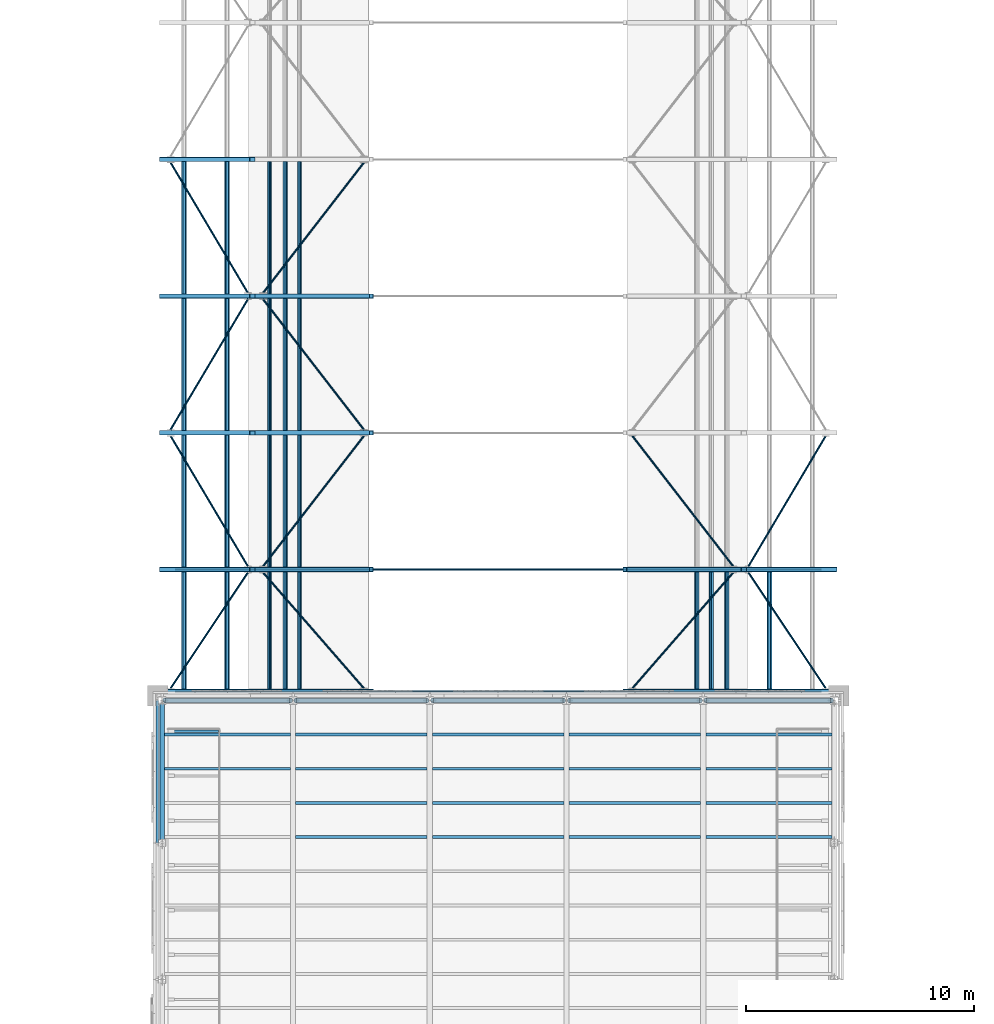
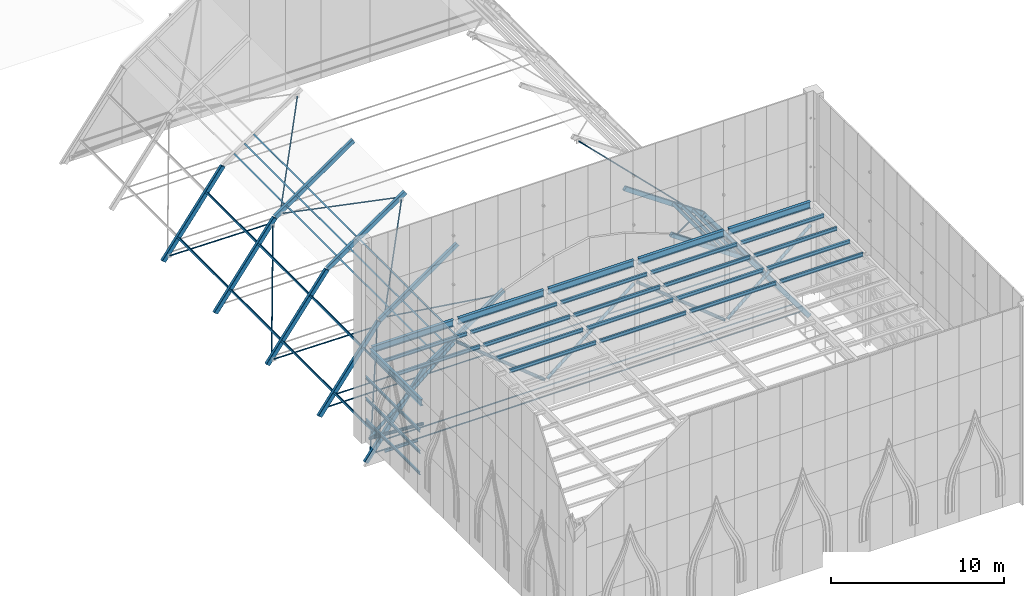
# One storey, part 4 of 43: 46 members, 41 beams.
"""IFC4 building model written with IfcOpenShell, lengths in metres."""

from ifc_helpers import new_model, si_unit, direction, frame, origin, origin_2d, place, context, subcontext, project, spatial, hollow_rectangle, hollow_circle, i_section, extrude, material, material_profile, profile_set, type_object, element, save


model = new_model("IFC4")

# Units and contexts
model_context = context("Model", 3, precision=1e-05, world=origin(), true_north=direction((0.0, 1.0)))
body_context = subcontext(model_context, "Body", "Model", "MODEL_VIEW")
ifc_project = project(units=[si_unit("LENGTHUNIT", "METRE"), si_unit("AREAUNIT", "SQUARE_METRE"), si_unit("VOLUMEUNIT", "CUBIC_METRE"), si_unit("PLANEANGLEUNIT", "RADIAN"), si_unit("MASSUNIT", "GRAM", prefix="KILO")], contexts=[model_context])

# Site, building, storey
site_placement = place(None, origin())
site = spatial("IfcSite", under=ifc_project, at=site_placement, CompositionType="ELEMENT")
building_placement = place(site_placement, origin())
building = spatial("IfcBuilding", under=site, at=building_placement, Name="Saffron Lane Theatres", CompositionType="ELEMENT")
storey_placement = place(building_placement, frame((0.0, 0.0, 23.0)))
storey = spatial("IfcBuildingStorey", under=building, at=storey_placement, Name="Roof", CompositionType="ELEMENT", Elevation=23.0)

# Beams
ifc_material_1 = material(Name="Steel Grade 350", Category="steel")
ifc_material_profile_1 = material_profile(ifc_material_1, i_section(OverallWidth=0.09912109375, OverallDepth=0.197998046875, WebThickness=0.00439453125, FlangeThickness=0.007080078125, FilletRadius=0.010986328125, at=origin_2d()))
ifc_profile_set_1 = profile_set([ifc_material_profile_1], Name="Steel Grade 350")
beam_type_1 = type_object("IfcBeamType", Name="ST-GALLERY BEAM 200UB18.2", PredefinedType="BEAM", material=ifc_profile_set_1)
beam_1_placement = place(storey_placement, frame((18.5, 52.89990234375, -0.14892578125), z_axis=(1.0, 0.0, 0.0), x_axis=(0.0, 1.0, 0.0)))
element("IfcBeam", 1, at=beam_1_placement, inside=storey, type_object=beam_type_1, Name="FBW23-10", PredefinedType="BEAM", context=body_context, shape_type="SweptSolid", body=[
    extrude(i_section(OverallWidth=0.09912109375, OverallDepth=0.197998046875, WebThickness=0.00439453125, FlangeThickness=0.007080078125, FilletRadius=0.010986328125, at=origin_2d()), origin(), (0.0, 0.0, 1.0), 2.22509765625),
])
ifc_material_2 = material(Name="Steel Grade 350", Category="steel")
ifc_material_profile_2 = material_profile(ifc_material_2, i_section(OverallWidth=0.19091796875, OverallDepth=0.4599609375, WebThickness=0.010009765625, FlangeThickness=0.01611328125, FilletRadius=0.010986328125, at=origin_2d()))
ifc_profile_set_2 = profile_set([ifc_material_profile_2], Name="Steel Grade 350")
beam_type_2 = type_object("IfcBeamType", Name="ST-GRIDIRON GIRDER 460UB82.1", PredefinedType="BEAM", material=ifc_profile_set_2)
beam_2_placement = place(storey_placement, frame((18.405517578125, 54.25, 6.219970703125), z_axis=(1.0, 0.0, 0.0), x_axis=(0.0, 1.0, 0.0)))
element("IfcBeam", 2, at=beam_2_placement, inside=storey, type_object=beam_type_2, Name="TG6", PredefinedType="BEAM", context=body_context, shape_type="SweptSolid", body=[
    extrude(i_section(OverallWidth=0.19091796875, OverallDepth=0.4599609375, WebThickness=0.010009765625, FlangeThickness=0.01611328125, FilletRadius=0.010986328125, at=origin_2d()), origin(), (0.0, 0.0, 1.0), 5.43896484375),
])
for number, where, z_axis, x_axis, name in (
    (3, (24.155517578125, 54.25, 6.219970703125), (1.0, 0.0, 0.0), (0.0, 1.0, 0.0), "TG7"),
    (4, (30.155517578125, 54.25, 6.219970703125), (1.0, 0.0, 0.0), (0.0, 1.0, 0.0), "TG8"),
    (5, (36.155517578125, 54.25, 6.219970703125), (1.0, 0.0, 0.0), (0.0, 1.0, 0.0), "TG9"),
):
    element("IfcBeam", number, at=place(storey_placement, frame(where, z_axis=z_axis, x_axis=x_axis)), inside=storey, type_object=beam_type_2, Name=name, PredefinedType="BEAM", context=body_context, shape_type="SweptSolid", body=[
        extrude(i_section(OverallWidth=0.19091796875, OverallDepth=0.4599609375, WebThickness=0.010009765625, FlangeThickness=0.01611328125, FilletRadius=0.010986328125, at=origin_2d()), origin(), (0.0, 0.0, 1.0), 5.68896484375),
    ])
beam_3_placement = place(storey_placement, frame((42.155517578125, 54.25, 6.219970703125), z_axis=(1.0, 0.0, 0.0), x_axis=(0.0, 1.0, 0.0)))
element("IfcBeam", 6, at=beam_3_placement, inside=storey, type_object=beam_type_2, Name="TG10", PredefinedType="BEAM", context=body_context, shape_type="SweptSolid", body=[
    extrude(i_section(OverallWidth=0.19091796875, OverallDepth=0.4599609375, WebThickness=0.010009765625, FlangeThickness=0.01611328125, FilletRadius=0.010986328125, at=origin_2d()), origin(), (0.0, 0.0, 1.0), 5.43896484375),
])
beam_4_placement = place(storey_placement, frame((18.25, 48.155517578125, 6.219970703125), z_axis=(0.0, 1.0, 0.0), x_axis=(-1.0, 0.0, 0.0)))
element("IfcBeam", 7, at=beam_4_placement, inside=storey, type_object=beam_type_2, Name="TG14", PredefinedType="BEAM", context=body_context, shape_type="SweptSolid", body=[
    extrude(i_section(OverallWidth=0.19091796875, OverallDepth=0.4599609375, WebThickness=0.010009765625, FlangeThickness=0.01611328125, FilletRadius=0.010986328125, at=origin_2d()), origin(), (0.0, 0.0, 1.0), 5.930908203125),
])
ifc_material_3 = material(Name="Steel Grade 350", Category="steel")
ifc_material_profile_3 = material_profile(ifc_material_3, i_section(OverallWidth=0.1240234375, OverallDepth=0.248046875, WebThickness=0.0048828125, FlangeThickness=0.008056640625, FilletRadius=0.011962890625, at=origin_2d()))
ifc_profile_set_3 = profile_set([ifc_material_profile_3], Name="Steel Grade 350")
beam_type_3 = type_object("IfcBeamType", Name="ST-GRIDIRON JOIST 250UB25.7", PredefinedType="JOIST", material=ifc_profile_set_3)
for number, where, z_axis, x_axis, name in (
    (8, (24.114501953125, 48.25, 6.325927734375), (1.0, 0.0, 0.0), (0.0, 1.0, 0.0), "TJ27"),
    (9, (30.114501953125, 48.25, 6.325927734375), (1.0, 0.0, 0.0), (0.0, 1.0, 0.0), "TJ28"),
    (10, (36.114501953125, 48.25, 6.325927734375), (1.0, 0.0, 0.0), (0.0, 1.0, 0.0), "TJ29"),
):
    element("IfcBeam", number, at=place(storey_placement, frame(where, z_axis=z_axis, x_axis=x_axis)), inside=storey, type_object=beam_type_3, Name=name, PredefinedType="JOIST", context=body_context, shape_type="SweptSolid", body=[
        extrude(i_section(OverallWidth=0.1240234375, OverallDepth=0.248046875, WebThickness=0.0048828125, FlangeThickness=0.008056640625, FilletRadius=0.011962890625, at=origin_2d()), origin(), (0.0, 0.0, 1.0), 5.77099609375),
    ])
for number, where, z_axis, x_axis, name in (
    (11, (42.114501953125, 48.25, 6.325927734375), (1.0, 0.0, 0.0), (0.0, 1.0, 0.0), "TJ30"),
    (12, (18.345458984375, 51.25, 6.325927734375), (1.0, 0.0, 0.0), (0.0, 1.0, 0.0), "TJ31"),
):
    element("IfcBeam", number, at=place(storey_placement, frame(where, z_axis=z_axis, x_axis=x_axis)), inside=storey, type_object=beam_type_3, Name=name, PredefinedType="JOIST", context=body_context, shape_type="SweptSolid", body=[
        extrude(i_section(OverallWidth=0.1240234375, OverallDepth=0.248046875, WebThickness=0.0048828125, FlangeThickness=0.008056640625, FilletRadius=0.011962890625, at=origin_2d()), origin(), (0.0, 0.0, 1.0), 5.5400390625),
    ])
for number, where, z_axis, x_axis, name in (
    (13, (24.114501953125, 51.25, 6.325927734375), (1.0, 0.0, 0.0), (0.0, 1.0, 0.0), "TJ32"),
    (14, (30.114501953125, 51.25, 6.325927734375), (1.0, 0.0, 0.0), (0.0, 1.0, 0.0), "TJ33"),
    (15, (36.114501953125, 51.25, 6.325927734375), (1.0, 0.0, 0.0), (0.0, 1.0, 0.0), "TJ34"),
):
    element("IfcBeam", number, at=place(storey_placement, frame(where, z_axis=z_axis, x_axis=x_axis)), inside=storey, type_object=beam_type_3, Name=name, PredefinedType="JOIST", context=body_context, shape_type="SweptSolid", body=[
        extrude(i_section(OverallWidth=0.1240234375, OverallDepth=0.248046875, WebThickness=0.0048828125, FlangeThickness=0.008056640625, FilletRadius=0.011962890625, at=origin_2d()), origin(), (0.0, 0.0, 1.0), 5.77099609375),
    ])
beam_5_placement = place(storey_placement, frame((42.114501953125, 51.25, 6.325927734375), z_axis=(1.0, 0.0, 0.0), x_axis=(0.0, 1.0, 0.0)))
element("IfcBeam", 16, at=beam_5_placement, inside=storey, type_object=beam_type_3, Name="TJ35", PredefinedType="JOIST", context=body_context, shape_type="SweptSolid", body=[
    extrude(i_section(OverallWidth=0.1240234375, OverallDepth=0.248046875, WebThickness=0.0048828125, FlangeThickness=0.008056640625, FilletRadius=0.011962890625, at=origin_2d()), origin(), (0.0, 0.0, 1.0), 5.5400390625),
])
for number, where, z_axis, x_axis, name in (
    (17, (24.114501953125, 49.75, 6.325927734375), (1.0, 0.0, 0.0), (0.0, 1.0, 0.0), "TM32"),
    (18, (30.114501953125, 49.75, 6.325927734375), (1.0, 0.0, 0.0), (0.0, 1.0, 0.0), "TM33"),
    (19, (36.114501953125, 49.75, 6.325927734375), (1.0, 0.0, 0.0), (0.0, 1.0, 0.0), "TM34"),
):
    element("IfcBeam", number, at=place(storey_placement, frame(where, z_axis=z_axis, x_axis=x_axis)), inside=storey, type_object=beam_type_3, Name=name, PredefinedType="JOIST", context=body_context, shape_type="SweptSolid", body=[
        extrude(i_section(OverallWidth=0.1240234375, OverallDepth=0.248046875, WebThickness=0.0048828125, FlangeThickness=0.008056640625, FilletRadius=0.011962890625, at=origin_2d()), origin(), (0.0, 0.0, 1.0), 5.77099609375),
    ])
for number, where, z_axis, x_axis, name in (
    (20, (42.114501953125, 49.75, 6.325927734375), (1.0, 0.0, 0.0), (0.0, 1.0, 0.0), "TM35"),
    (21, (18.345458984375, 52.75, 6.325927734375), (1.0, 0.0, 0.0), (0.0, 1.0, 0.0), "TM36"),
):
    element("IfcBeam", number, at=place(storey_placement, frame(where, z_axis=z_axis, x_axis=x_axis)), inside=storey, type_object=beam_type_3, Name=name, PredefinedType="JOIST", context=body_context, shape_type="SweptSolid", body=[
        extrude(i_section(OverallWidth=0.1240234375, OverallDepth=0.248046875, WebThickness=0.0048828125, FlangeThickness=0.008056640625, FilletRadius=0.011962890625, at=origin_2d()), origin(), (0.0, 0.0, 1.0), 5.5400390625),
    ])
for number, where, z_axis, x_axis, name in (
    (22, (24.114501953125, 52.75, 6.325927734375), (1.0, 0.0, 0.0), (0.0, 1.0, 0.0), "TM37"),
    (23, (30.114501953125, 52.75, 6.325927734375), (1.0, 0.0, 0.0), (0.0, 1.0, 0.0), "TM38"),
    (24, (36.114501953125, 52.75, 6.325927734375), (1.0, 0.0, 0.0), (0.0, 1.0, 0.0), "TM39"),
):
    element("IfcBeam", number, at=place(storey_placement, frame(where, z_axis=z_axis, x_axis=x_axis)), inside=storey, type_object=beam_type_3, Name=name, PredefinedType="JOIST", context=body_context, shape_type="SweptSolid", body=[
        extrude(i_section(OverallWidth=0.1240234375, OverallDepth=0.248046875, WebThickness=0.0048828125, FlangeThickness=0.008056640625, FilletRadius=0.011962890625, at=origin_2d()), origin(), (0.0, 0.0, 1.0), 5.77099609375),
    ])
beam_6_placement = place(storey_placement, frame((42.114501953125, 52.75, 6.325927734375), z_axis=(1.0, 0.0, 0.0), x_axis=(0.0, 1.0, 0.0)))
element("IfcBeam", 25, at=beam_6_placement, inside=storey, type_object=beam_type_3, Name="TM40", PredefinedType="JOIST", context=body_context, shape_type="SweptSolid", body=[
    extrude(i_section(OverallWidth=0.1240234375, OverallDepth=0.248046875, WebThickness=0.0048828125, FlangeThickness=0.008056640625, FilletRadius=0.011962890625, at=origin_2d()), origin(), (0.0, 0.0, 1.0), 5.5400390625),
])

# Members
ifc_material_4 = material(Name="Steel Grade 350", Category="steel")
ifc_material_profile_4 = material_profile(ifc_material_4, hollow_circle(Radius=0.109619140625, WallThickness=0.00830078125, at=origin_2d()))
ifc_profile_set_4 = profile_set([ifc_material_profile_4], Name="Steel Grade 350")
member_type_1 = type_object("IfcMemberType", Name="ST-TOWER BRACE LO 219.1x8.2 CHS", PredefinedType="BRACE", material=ifc_profile_set_4)
member_1_placement = place(storey_placement, frame((18.349365234375, 54.25, 0.083740234375), z_axis=(0.764377426649, 0.0, 0.644769066898), x_axis=(0.0, 1.0, 0.0)))
element("IfcMember", 26, at=member_1_placement, inside=storey, type_object=member_type_1, Name="TB11", PredefinedType="BRACE", context=body_context, shape_type="SweptSolid", body=[
    extrude(hollow_circle(Radius=0.109619140625, WallThickness=0.00830078125, at=origin_2d()), origin(), (0.0, 0.0, 1.0), 7.262451171875),
])
for number, where, z_axis, x_axis, name in (
    (27, (29.89453125, 54.25, 0.085205078125), (-0.77768461101, 0.0, 0.628654631573), (0.0, -1.0, 0.0), "TB13"),
    (28, (30.10546875, 54.25, 0.085205078125), (0.77768461101, 0.0, 0.628654631573), (0.0, 1.0, 0.0), "TB15"),
    (29, (41.89453125, 54.25, 0.085205078125), (-0.77768461101, 0.0, 0.628654631573), (0.0, -1.0, 0.0), "TB17"),
):
    element("IfcMember", number, at=place(storey_placement, frame(where, z_axis=z_axis, x_axis=x_axis)), inside=storey, type_object=member_type_1, Name=name, PredefinedType="BRACE", context=body_context, shape_type="SweptSolid", body=[
        extrude(hollow_circle(Radius=0.109619140625, WallThickness=0.00830078125, at=origin_2d()), origin(), (0.0, 0.0, 1.0), 7.444091796875),
    ])
member_2_placement = place(storey_placement, frame((42.099365234375, 54.25, 0.083740234375), z_axis=(0.764377426649, 0.0, 0.644769066898), x_axis=(0.0, 1.0, 0.0)))
element("IfcMember", 30, at=member_2_placement, inside=storey, type_object=member_type_1, Name="TB19", PredefinedType="BRACE", context=body_context, shape_type="SweptSolid", body=[
    extrude(hollow_circle(Radius=0.109619140625, WallThickness=0.00830078125, at=origin_2d()), origin(), (0.0, 0.0, 1.0), 7.262451171875),
])
member_3_placement = place(storey_placement, frame((18.25, 54.138427734375, 0.086669921875), z_axis=(0.0, -0.790037583731, 0.613058411811), x_axis=(1.0, 0.0, 0.0)))
element("IfcMember", 31, at=member_3_placement, inside=storey, type_object=member_type_1, Name="TB27", PredefinedType="BRACE", context=body_context, shape_type="SweptSolid", body=[
    extrude(hollow_circle(Radius=0.109619140625, WallThickness=0.00830078125, at=origin_2d()), origin(), (0.0, 0.0, 1.0), 7.628662109375),
])

# Beams
ifc_material_5 = material(Name="Steel Grade 350", Category="steel")
ifc_material_profile_5 = material_profile(ifc_material_5, i_section(OverallWidth=0.09912109375, OverallDepth=0.197998046875, WebThickness=0.00439453125, FlangeThickness=0.007080078125, FilletRadius=0.010986328125, at=origin_2d()))
ifc_profile_set_5 = profile_set([ifc_material_profile_5], Name="Steel Grade 350")
beam_type_4 = type_object("IfcBeamType", Name="ST-TOWER GIRT 200UB18.2", PredefinedType="BEAM", material=ifc_profile_set_5)
for number, where, z_axis, x_axis, name in (
    (32, (18.037109375, 48.0, 1.40087890625), (0.0, 1.0, 0.0), (-1.0, 0.0, 0.0), "TX29"),
    (33, (18.037109375, 48.0, 2.90087890625), (0.0, 1.0, 0.0), (-1.0, 0.0, 0.0), "TX33"),
    (34, (18.037109375, 48.0, 4.40087890625), (0.0, 1.0, 0.0), (-1.0, 0.0, 0.0), "TX37"),
):
    element("IfcBeam", number, at=place(storey_placement, frame(where, z_axis=z_axis, x_axis=x_axis)), inside=storey, type_object=beam_type_4, Name=name, PredefinedType="BEAM", context=body_context, shape_type="SweptSolid", body=[
        extrude(i_section(OverallWidth=0.09912109375, OverallDepth=0.197998046875, WebThickness=0.00439453125, FlangeThickness=0.007080078125, FilletRadius=0.010986328125, at=origin_2d()), origin(), (0.0, 0.0, 1.0), 6.25),
    ])

# Members
ifc_material_6 = material(Name="Steel Grade 350", Category="steel")
ifc_material_profile_6 = material_profile(ifc_material_6, hollow_circle(Radius=0.04443359375, WallThickness=0.005859375, at=origin_2d()))
ifc_profile_set_6 = profile_set([ifc_material_profile_6], Name="Steel Grade 350")
member_type_2 = type_object("IfcMemberType", Name="ST-VAULT BRACE 88.9x5.9 CHS", PredefinedType="BRACE", material=ifc_profile_set_6)
member_4_placement = place(storey_placement, frame((18.627685546875, 54.793212890625, -1.570556640625), z_axis=(0.444999189173, 0.666695187998, 0.597907390769), x_axis=(-0.831741693908, 0.555162818112, 0.0)))
element("IfcMember", 35, at=member_4_placement, inside=storey, type_object=member_type_2, Name="VB1", PredefinedType="BRACE", context=body_context, shape_type="SweptSolid", body=[
    extrude(hollow_circle(Radius=0.04443359375, WallThickness=0.005859375, at=origin_2d()), origin(), (0.0, 0.0, 1.0), 7.59521484375),
])
for number, where, z_axis, x_axis, name in (
    (36, (22.68896484375, 59.857666015625, 3.62841796875), (0.598302857614, -0.687124304759, 0.41218185353), (0.754168697763, 0.656680725554, 0.0), "VB2"),
    (37, (38.900390625, 54.792236328125, 6.6669921875), (0.598302857614, 0.687124304759, -0.41218185353), (-0.754168697763, 0.656680725554, 0.0), "VB7"),
):
    element("IfcMember", number, at=place(storey_placement, frame(where, z_axis=z_axis, x_axis=x_axis)), inside=storey, type_object=member_type_2, Name=name, PredefinedType="BRACE", context=body_context, shape_type="SweptSolid", body=[
        extrude(hollow_circle(Radius=0.04443359375, WallThickness=0.005859375, at=origin_2d()), origin(), (0.0, 0.0, 1.0), 7.371826171875),
    ])
member_5_placement = place(storey_placement, frame((43.992431640625, 59.85693359375, 2.970703125), z_axis=(0.444999189173, -0.666695187998, -0.597907390769), x_axis=(0.831741693908, 0.555162818112, 0.0)))
element("IfcMember", 38, at=member_5_placement, inside=storey, type_object=member_type_2, Name="VB8", PredefinedType="BRACE", context=body_context, shape_type="SweptSolid", body=[
    extrude(hollow_circle(Radius=0.04443359375, WallThickness=0.005859375, at=origin_2d()), origin(), (0.0, 0.0, 1.0), 7.59521484375),
])
member_6_placement = place(storey_placement, frame((18.623291015625, 65.858642578125, -1.576171875), z_axis=(0.420650922194, -0.709712053021, 0.565120875083), x_axis=(0.860248567994, 0.509874887854, 0.0)))
element("IfcMember", 39, at=member_6_placement, inside=storey, type_object=member_type_2, Name="VB9", PredefinedType="BRACE", context=body_context, shape_type="SweptSolid", body=[
    extrude(hollow_circle(Radius=0.04443359375, WallThickness=0.005859375, at=origin_2d()), origin(), (0.0, 0.0, 1.0), 8.0556640625),
])
for number, where, z_axis, x_axis, name in (
    (40, (22.683349609375, 60.140380859375, 3.62451171875), (0.563659260503, 0.729034995393, 0.388324881436), (-0.791120093117, 0.611660852324, 0.0), "VB10"),
    (41, (38.894775390625, 65.859619140625, 6.6708984375), (0.563659260503, -0.729034995393, -0.388324881436), (0.791120093117, 0.611660852324, 0.0), "VB15"),
):
    element("IfcMember", number, at=place(storey_placement, frame(where, z_axis=z_axis, x_axis=x_axis)), inside=storey, type_object=member_type_2, Name=name, PredefinedType="BRACE", context=body_context, shape_type="SweptSolid", body=[
        extrude(hollow_circle(Radius=0.04443359375, WallThickness=0.005859375, at=origin_2d()), origin(), (0.0, 0.0, 1.0), 7.844970703125),
    ])
for number, where, z_axis, x_axis, name in (
    (42, (43.988037109375, 60.141357421875, 2.976318359375), (0.420650922194, 0.709712053021, -0.565120875083), (-0.860248567994, 0.509874887854, 0.0), "VB16"),
    (43, (18.623291015625, 66.141357421875, -1.576171875), (0.420650922194, 0.709712053021, 0.565120875083), (-0.860248567994, 0.509874887854, 0.0), "VB17"),
):
    element("IfcMember", number, at=place(storey_placement, frame(where, z_axis=z_axis, x_axis=x_axis)), inside=storey, type_object=member_type_2, Name=name, PredefinedType="BRACE", context=body_context, shape_type="SweptSolid", body=[
        extrude(hollow_circle(Radius=0.04443359375, WallThickness=0.005859375, at=origin_2d()), origin(), (0.0, 0.0, 1.0), 8.0556640625),
    ])
member_7_placement = place(storey_placement, frame((22.683349609375, 71.859619140625, 3.62451171875), z_axis=(0.563659260503, -0.729034995393, 0.388324881436), x_axis=(0.791120093117, 0.611660852324, 0.0)))
element("IfcMember", 44, at=member_7_placement, inside=storey, type_object=member_type_2, Name="VB18", PredefinedType="BRACE", context=body_context, shape_type="SweptSolid", body=[
    extrude(hollow_circle(Radius=0.04443359375, WallThickness=0.005859375, at=origin_2d()), origin(), (0.0, 0.0, 1.0), 7.844970703125),
])
member_8_placement = place(storey_placement, frame((18.623291015625, 77.858642578125, -1.576171875), z_axis=(0.420650922194, -0.709712053021, 0.565120875083), x_axis=(0.860248567994, 0.509874887854, 0.0)))
element("IfcMember", 45, at=member_8_placement, inside=storey, type_object=member_type_2, Name="VB25", PredefinedType="BRACE", context=body_context, shape_type="SweptSolid", body=[
    extrude(hollow_circle(Radius=0.04443359375, WallThickness=0.005859375, at=origin_2d()), origin(), (0.0, 0.0, 1.0), 8.0556640625),
])
member_9_placement = place(storey_placement, frame((22.683349609375, 72.140380859375, 3.62451171875), z_axis=(0.563659260503, 0.729034995393, 0.388324881436), x_axis=(-0.791120093117, 0.611660852324, 0.0)))
element("IfcMember", 46, at=member_9_placement, inside=storey, type_object=member_type_2, Name="VB26", PredefinedType="BRACE", context=body_context, shape_type="SweptSolid", body=[
    extrude(hollow_circle(Radius=0.04443359375, WallThickness=0.005859375, at=origin_2d()), origin(), (0.0, 0.0, 1.0), 7.844970703125),
])
ifc_material_7 = material(Name="Steel Grade 350", Category="steel")
ifc_material_profile_7 = material_profile(ifc_material_7, i_section(OverallWidth=0.09912109375, OverallDepth=0.197998046875, WebThickness=0.00439453125, FlangeThickness=0.007080078125, FilletRadius=0.010986328125, at=origin_2d()))
ifc_profile_set_7 = profile_set([ifc_material_profile_7], Name="Steel Grade 350")
member_type_3 = type_object("IfcMemberType", Name="ST-VAULT PURLIN 200UB18.2", PredefinedType="PURLIN", material=ifc_profile_set_7)
for number, where, z_axis, x_axis, name in (
    (47, (19.205322265625, 54.75, -0.54150390625), (0.0, 1.0, 0.0), (0.597068546596, 0.0, 0.802190220998), "VP1A1"),
    (48, (21.091552734375, 54.75, 1.99267578125), (0.0, 1.0, 0.0), (0.597068546596, 0.0, 0.802190220998), "VP1A2"),
    (49, (22.964599609375, 54.75, 4.001708984375), (0.0, 1.0, 0.0), (0.823487130919, 0.0, 0.567334949752), "VP1B1"),
    (50, (23.648681640625, 54.75, 4.472900390625), (0.0, 1.0, 0.0), (0.823487130919, 0.0, 0.567334949752), "VP1B2"),
    (51, (24.280029296875, 54.75, 4.90771484375), (0.0, 1.0, 0.0), (0.823487130919, 0.0, 0.567334949752), "VP1B3"),
    (52, (41.719970703125, 54.75, 4.90771484375), (0.0, 1.0, 0.0), (0.823487130919, 0.0, -0.567334949752), "VP1G2"),
    (53, (42.351318359375, 54.75, 4.472900390625), (0.0, 1.0, 0.0), (0.823487130919, 0.0, -0.567334949752), "VP1G3"),
    (54, (43.035400390625, 54.75, 4.001708984375), (0.0, 1.0, 0.0), (0.823487130919, 0.0, -0.567334949752), "VP1G4"),
    (55, (44.908447265625, 54.75, 1.99267578125), (0.0, 1.0, 0.0), (0.597068546596, 0.0, -0.802190220998), "VP1H1"),
):
    element("IfcMember", number, at=place(storey_placement, frame(where, z_axis=z_axis, x_axis=x_axis)), inside=storey, type_object=member_type_3, Name=name, PredefinedType="PURLIN", context=body_context, shape_type="SweptSolid", body=[
        extrude(i_section(OverallWidth=0.09912109375, OverallDepth=0.197998046875, WebThickness=0.00439453125, FlangeThickness=0.007080078125, FilletRadius=0.010986328125, at=origin_2d()), origin(), (0.0, 0.0, 1.0), 5.14990234375),
    ])
for number, where, z_axis, x_axis, name in (
    (56, (19.205322265625, 60.10009765625, -0.54150390625), (0.0, 1.0, 0.0), (0.597068546596, 0.0, 0.802190220998), "VP2A1"),
    (57, (21.091552734375, 60.10009765625, 1.99267578125), (0.0, 1.0, 0.0), (0.597068546596, 0.0, 0.802190220998), "VP2A2"),
    (58, (22.964599609375, 60.10009765625, 4.001708984375), (0.0, 1.0, 0.0), (0.823487130919, 0.0, 0.567334949752), "VP2B1"),
    (59, (23.648681640625, 60.10009765625, 4.472900390625), (0.0, 1.0, 0.0), (0.823487130919, 0.0, 0.567334949752), "VP2B2"),
    (60, (24.280029296875, 60.10009765625, 4.90771484375), (0.0, 1.0, 0.0), (0.823487130919, 0.0, 0.567334949752), "VP2B3"),
    (61, (19.205322265625, 66.10009765625, -0.54150390625), (0.0, 1.0, 0.0), (0.597068546596, 0.0, 0.802190220998), "VP3A1"),
    (62, (21.091552734375, 66.10009765625, 1.99267578125), (0.0, 1.0, 0.0), (0.597068546596, 0.0, 0.802190220998), "VP3A2"),
    (63, (22.964599609375, 66.10009765625, 4.001708984375), (0.0, 1.0, 0.0), (0.823487130919, 0.0, 0.567334949752), "VP3B1"),
    (64, (23.648681640625, 66.10009765625, 4.472900390625), (0.0, 1.0, 0.0), (0.823487130919, 0.0, 0.567334949752), "VP3B2"),
    (65, (24.280029296875, 66.10009765625, 4.90771484375), (0.0, 1.0, 0.0), (0.823487130919, 0.0, 0.567334949752), "VP3B3"),
    (66, (19.205322265625, 72.10009765625, -0.54150390625), (0.0, 1.0, 0.0), (0.597068546596, 0.0, 0.802190220998), "VP4A1"),
    (67, (21.091552734375, 72.10009765625, 1.99267578125), (0.0, 1.0, 0.0), (0.597068546596, 0.0, 0.802190220998), "VP4A2"),
    (68, (22.964599609375, 72.10009765625, 4.001708984375), (0.0, 1.0, 0.0), (0.823487130919, 0.0, 0.567334949752), "VP4B1"),
    (69, (23.648681640625, 72.10009765625, 4.472900390625), (0.0, 1.0, 0.0), (0.823487130919, 0.0, 0.567334949752), "VP4B2"),
    (70, (24.280029296875, 72.10009765625, 4.90771484375), (0.0, 1.0, 0.0), (0.823487130919, 0.0, 0.567334949752), "VP4B3"),
):
    element("IfcMember", number, at=place(storey_placement, frame(where, z_axis=z_axis, x_axis=x_axis)), inside=storey, type_object=member_type_3, Name=name, PredefinedType="PURLIN", context=body_context, shape_type="SweptSolid", body=[
        extrude(i_section(OverallWidth=0.09912109375, OverallDepth=0.197998046875, WebThickness=0.00439453125, FlangeThickness=0.007080078125, FilletRadius=0.010986328125, at=origin_2d()), origin(), (0.0, 0.0, 1.0), 5.7998046875),
    ])

# Beams
ifc_material_8 = material(Name="Steel Grade 350", Category="steel")
ifc_material_profile_8 = material_profile(ifc_material_8, hollow_rectangle(XDim=0.199951171875, YDim=0.300048828125, WallThickness=0.010009765625, InnerFilletRadius=0.0048828125, OuterFilletRadius=0.014892578125, at=origin_2d()))
ifc_profile_set_8 = profile_set([ifc_material_profile_8], Name="Steel Grade 350")
beam_type_5 = type_object("IfcBeamType", Name="ST-VAULT RIB 300x200x10 RHS", PredefinedType="USERDEFINED", material=ifc_profile_set_8)
beam_7_placement = place(storey_placement, frame((18.25, 54.64990234375, -1.910400390625), z_axis=(0.597057046595, 0.0, 0.802198780298), x_axis=(0.0, 1.0, 0.0)))
element("IfcBeam", 71, at=beam_7_placement, inside=storey, type_object=beam_type_5, Name="VR1A", ObjectType="VAULT RIB", PredefinedType="USERDEFINED", context=body_context, shape_type="SweptSolid", body=[
    extrude(hollow_rectangle(XDim=0.199951171875, YDim=0.300048828125, WallThickness=0.010009765625, InnerFilletRadius=0.0048828125, OuterFilletRadius=0.014892578125, at=origin_2d()), origin(), (0.0, 0.0, 1.0), 6.632568359375),
])
for number, where, z_axis, x_axis, name in (
    (72, (22.245361328125, 54.64990234375, 3.444091796875), (0.823484273619, 0.0, 0.567339097104), (0.0, 1.0, 0.0), "VR1B"),
    (73, (38.56494140625, 54.64990234375, 7.01953125), (0.823484273619, 0.0, -0.567339097104), (0.0, 1.0, 0.0), "VR1G"),
):
    element("IfcBeam", number, at=place(storey_placement, frame(where, z_axis=z_axis, x_axis=x_axis)), inside=storey, type_object=beam_type_5, Name=name, ObjectType="VAULT RIB", PredefinedType="USERDEFINED", context=body_context, shape_type="SweptSolid", body=[
        extrude(hollow_rectangle(XDim=0.199951171875, YDim=0.300048828125, WallThickness=0.010009765625, InnerFilletRadius=0.0048828125, OuterFilletRadius=0.014892578125, at=origin_2d()), origin(), (0.0, 0.0, 1.0), 6.302001953125),
    ])
for number, where, z_axis, x_axis, name in (
    (74, (43.7900390625, 54.64990234375, 3.41015625), (0.597057046595, 0.0, -0.802198780298), (0.0, 1.0, 0.0), "VR1H"),
    (75, (18.25, 60.0, -1.910400390625), (0.597057046595, 0.0, 0.802198780298), (0.0, 1.0, 0.0), "VR2A"),
):
    element("IfcBeam", number, at=place(storey_placement, frame(where, z_axis=z_axis, x_axis=x_axis)), inside=storey, type_object=beam_type_5, Name=name, ObjectType="VAULT RIB", PredefinedType="USERDEFINED", context=body_context, shape_type="SweptSolid", body=[
        extrude(hollow_rectangle(XDim=0.199951171875, YDim=0.300048828125, WallThickness=0.010009765625, InnerFilletRadius=0.0048828125, OuterFilletRadius=0.014892578125, at=origin_2d()), origin(), (0.0, 0.0, 1.0), 6.632568359375),
    ])
for number, where, z_axis, x_axis, name in (
    (76, (22.245361328125, 60.0, 3.444091796875), (0.823484273619, 0.0, 0.567339097104), (0.0, 1.0, 0.0), "VR2B"),
    (77, (38.56494140625, 60.0, 7.01953125), (0.823484273619, 0.0, -0.567339097104), (0.0, 1.0, 0.0), "VR2G"),
):
    element("IfcBeam", number, at=place(storey_placement, frame(where, z_axis=z_axis, x_axis=x_axis)), inside=storey, type_object=beam_type_5, Name=name, ObjectType="VAULT RIB", PredefinedType="USERDEFINED", context=body_context, shape_type="SweptSolid", body=[
        extrude(hollow_rectangle(XDim=0.199951171875, YDim=0.300048828125, WallThickness=0.010009765625, InnerFilletRadius=0.0048828125, OuterFilletRadius=0.014892578125, at=origin_2d()), origin(), (0.0, 0.0, 1.0), 6.302001953125),
    ])
for number, where, z_axis, x_axis, name in (
    (78, (43.7900390625, 60.0, 3.41015625), (0.597057046595, 0.0, -0.802198780298), (0.0, 1.0, 0.0), "VR2H"),
    (79, (18.25, 66.0, -1.910400390625), (0.597057046595, 0.0, 0.802198780298), (0.0, 1.0, 0.0), "VR3A"),
):
    element("IfcBeam", number, at=place(storey_placement, frame(where, z_axis=z_axis, x_axis=x_axis)), inside=storey, type_object=beam_type_5, Name=name, ObjectType="VAULT RIB", PredefinedType="USERDEFINED", context=body_context, shape_type="SweptSolid", body=[
        extrude(hollow_rectangle(XDim=0.199951171875, YDim=0.300048828125, WallThickness=0.010009765625, InnerFilletRadius=0.0048828125, OuterFilletRadius=0.014892578125, at=origin_2d()), origin(), (0.0, 0.0, 1.0), 6.632568359375),
    ])
beam_8_placement = place(storey_placement, frame((22.245361328125, 66.0, 3.444091796875), z_axis=(0.823484273619, 0.0, 0.567339097104), x_axis=(0.0, 1.0, 0.0)))
element("IfcBeam", 80, at=beam_8_placement, inside=storey, type_object=beam_type_5, Name="VR3B", ObjectType="VAULT RIB", PredefinedType="USERDEFINED", context=body_context, shape_type="SweptSolid", body=[
    extrude(hollow_rectangle(XDim=0.199951171875, YDim=0.300048828125, WallThickness=0.010009765625, InnerFilletRadius=0.0048828125, OuterFilletRadius=0.014892578125, at=origin_2d()), origin(), (0.0, 0.0, 1.0), 6.302001953125),
])
beam_9_placement = place(storey_placement, frame((18.25, 72.0, -1.910400390625), z_axis=(0.597057046595, 0.0, 0.802198780298), x_axis=(0.0, 1.0, 0.0)))
element("IfcBeam", 81, at=beam_9_placement, inside=storey, type_object=beam_type_5, Name="VR4A", ObjectType="VAULT RIB", PredefinedType="USERDEFINED", context=body_context, shape_type="SweptSolid", body=[
    extrude(hollow_rectangle(XDim=0.199951171875, YDim=0.300048828125, WallThickness=0.010009765625, InnerFilletRadius=0.0048828125, OuterFilletRadius=0.014892578125, at=origin_2d()), origin(), (0.0, 0.0, 1.0), 6.632568359375),
])
beam_10_placement = place(storey_placement, frame((22.245361328125, 72.0, 3.444091796875), z_axis=(0.823484273619, 0.0, 0.567339097104), x_axis=(0.0, 1.0, 0.0)))
element("IfcBeam", 82, at=beam_10_placement, inside=storey, type_object=beam_type_5, Name="VR4B", ObjectType="VAULT RIB", PredefinedType="USERDEFINED", context=body_context, shape_type="SweptSolid", body=[
    extrude(hollow_rectangle(XDim=0.199951171875, YDim=0.300048828125, WallThickness=0.010009765625, InnerFilletRadius=0.0048828125, OuterFilletRadius=0.014892578125, at=origin_2d()), origin(), (0.0, 0.0, 1.0), 6.302001953125),
])
beam_11_placement = place(storey_placement, frame((18.25, 78.0, -1.910400390625), z_axis=(0.597057046595, 0.0, 0.802198780298), x_axis=(0.0, 1.0, 0.0)))
element("IfcBeam", 83, at=beam_11_placement, inside=storey, type_object=beam_type_5, Name="VR5A", ObjectType="VAULT RIB", PredefinedType="USERDEFINED", context=body_context, shape_type="SweptSolid", body=[
    extrude(hollow_rectangle(XDim=0.199951171875, YDim=0.300048828125, WallThickness=0.010009765625, InnerFilletRadius=0.0048828125, OuterFilletRadius=0.014892578125, at=origin_2d()), origin(), (0.0, 0.0, 1.0), 6.632568359375),
])

# Members
ifc_material_9 = material(Name="Steel Grade 350", Category="steel")
ifc_material_profile_9 = material_profile(ifc_material_9, hollow_circle(Radius=0.04443359375, WallThickness=0.005859375, at=origin_2d()))
ifc_profile_set_9 = profile_set([ifc_material_profile_9], Name="Steel Grade 350")
member_type_4 = type_object("IfcMemberType", Name="ST-VAULT TIE 88.9x5.9 CHS", PredefinedType="USERDEFINED", material=ifc_profile_set_9)
member_10_placement = place(storey_placement, frame((18.812744140625, 54.64990234375, -1.449951171875), z_axis=(1.0, 0.0, 0.0), x_axis=(0.0, 1.0, 0.0)))
element("IfcMember", 84, at=member_10_placement, inside=storey, type_object=member_type_4, Name="VT1-1", ObjectType="TIE ROD", PredefinedType="USERDEFINED", context=body_context, shape_type="SweptSolid", body=[
    extrude(hollow_circle(Radius=0.04443359375, WallThickness=0.005859375, at=origin_2d()), origin(), (0.0, 0.0, 1.0), 28.37451171875),
])
member_11_placement = place(storey_placement, frame((19.333740234375, 54.64990234375, -0.75), z_axis=(1.0, 0.0, 0.0), x_axis=(0.0, 1.0, 0.0)))
element("IfcMember", 85, at=member_11_placement, inside=storey, type_object=member_type_4, Name="VT1-2", ObjectType="TIE ROD", PredefinedType="USERDEFINED", context=body_context, shape_type="SweptSolid", body=[
    extrude(hollow_circle(Radius=0.04443359375, WallThickness=0.005859375, at=origin_2d()), origin(), (0.0, 0.0, 1.0), 27.33251953125),
])
member_12_placement = place(storey_placement, frame((18.812744140625, 60.0, -1.449951171875), z_axis=(1.0, 0.0, 0.0), x_axis=(0.0, 1.0, 0.0)))
element("IfcMember", 86, at=member_12_placement, inside=storey, type_object=member_type_4, Name="VT2-1", ObjectType="TIE ROD", PredefinedType="USERDEFINED", context=body_context, shape_type="SweptSolid", body=[
    extrude(hollow_circle(Radius=0.04443359375, WallThickness=0.005859375, at=origin_2d()), origin(), (0.0, 0.0, 1.0), 28.37451171875),
])
member_13_placement = place(storey_placement, frame((19.333740234375, 60.0, -0.75), z_axis=(1.0, 0.0, 0.0), x_axis=(0.0, 1.0, 0.0)))
element("IfcMember", 87, at=member_13_placement, inside=storey, type_object=member_type_4, Name="VT2-2", ObjectType="TIE ROD", PredefinedType="USERDEFINED", context=body_context, shape_type="SweptSolid", body=[
    extrude(hollow_circle(Radius=0.04443359375, WallThickness=0.005859375, at=origin_2d()), origin(), (0.0, 0.0, 1.0), 27.33251953125),
])

save(model, "model.ifc")
